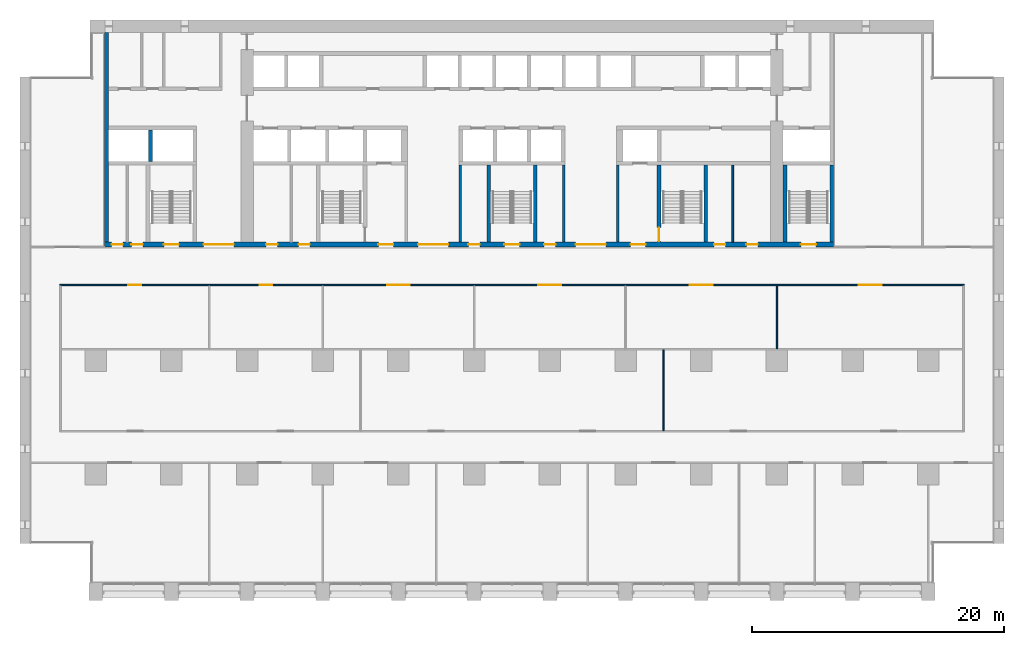
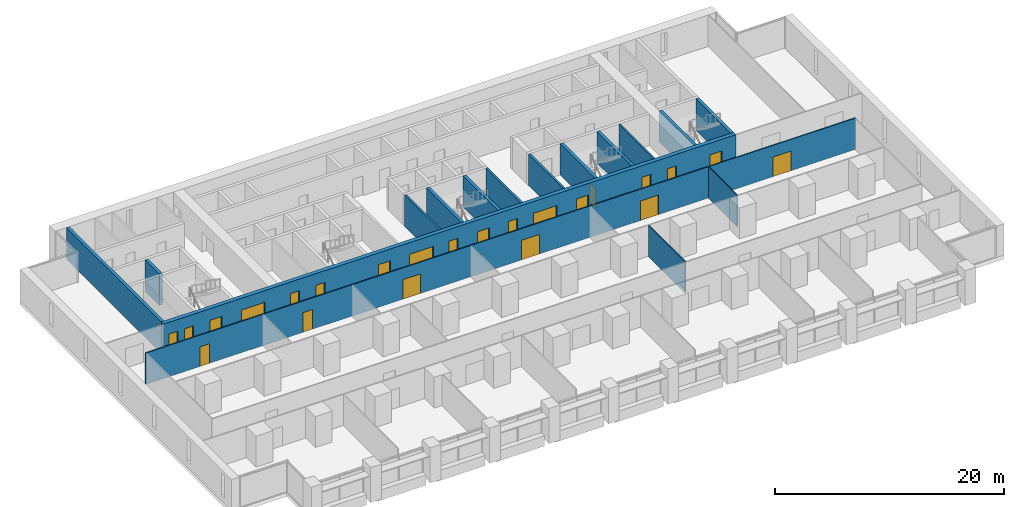
# One storey, part 10 of 18: 23 doors, 16 walls, 23 openings.
"""IFC4 building model written with IfcOpenShell, lengths in metres."""

from ifc_helpers import new_model, si_unit, direction, frame, frame_2d, origin, place, context, subcontext, project, spatial, rectangle, extrude, material, layer, layer_set, type_object, element, fill, save


model = new_model("IFC4")

# Units and contexts
model_context = context("Model", 3, precision=1e-05, world=origin(), true_north=direction((0.0, 1.0)))
body_context = subcontext(model_context, "Body", "Model", "MODEL_VIEW")
ifc_project = project(units=[si_unit("LENGTHUNIT", "METRE"), si_unit("AREAUNIT", "SQUARE_METRE"), si_unit("VOLUMEUNIT", "CUBIC_METRE"), si_unit("PLANEANGLEUNIT", "RADIAN"), si_unit("MASSUNIT", "GRAM", prefix="KILO")], contexts=[model_context])

# Site, building, storey
site_placement = place(None, origin())
site = spatial("IfcSite", under=ifc_project, at=site_placement, CompositionType="ELEMENT")
building_placement = place(site_placement, origin())
building = spatial("IfcBuilding", under=site, at=building_placement, Name="Calvaro Tower", CompositionType="ELEMENT")
storey_placement = place(building_placement, frame((0.0, 0.0, 45.0)))
storey = spatial("IfcBuildingStorey", under=building, at=storey_placement, Name="L10", CompositionType="ELEMENT", Elevation=45.0)

# Walls
ifc_material_1 = material(Name="Blockwork partition", Category="masonry")
ifc_layer_1 = layer(ifc_material_1, 0.14990234375)
ifc_layer_set_1 = layer_set([ifc_layer_1], Name="Blockwork partition")
wall_type_1 = type_object("IfcWallType", Name="Core partition 150 EI 60", PredefinedType="PARTITIONING", material=ifc_layer_set_1)
wall_1_placement = place(storey_placement, frame((56.5, 28.39990234375, 0.0), z_axis=(0.0, 0.0, 1.0), x_axis=(0.0, 1.0, 0.0)))
element("IfcWall", 1, at=wall_1_placement, inside=storey, type_object=wall_type_1, Name="Core partition", PredefinedType="PARTITIONING", context=body_context, shape_type="SweptSolid", body=[
    extrude(rectangle(XDim=6.10009765625, YDim=0.14990234375, at=frame_2d((3.050048828125, 0.0))), origin(), (0.0, 0.0, 1.0), 3.35009765625),
])
ifc_material_2 = material(Name="Blockwork partition", Category="masonry")
ifc_layer_2 = layer(ifc_material_2, 0.199951171875)
ifc_layer_set_2 = layer_set([ifc_layer_2], Name="Blockwork partition")
wall_type_2 = type_object("IfcWallType", Name="Core partition 200 REI 120", PredefinedType="PARTITIONING", material=ifc_layer_set_2)
for number, where, z_axis, x_axis, name in (
    (2, (34.89990234375, 28.39990234375, 0.0), (0.0, 0.0, 1.0), (0.0, 1.0, 0.0), "Core partition"),
    (3, (43.10009765625, 28.39990234375, 0.0), (0.0, 0.0, 1.0), (0.0, 1.0, 0.0), "Core partition"),
    (4, (47.39990234375, 28.39990234375, 0.0), (0.0, 0.0, 1.0), (0.0, 1.0, 0.0), "Core partition"),
):
    element("IfcWall", number, at=place(storey_placement, frame(where, z_axis=z_axis, x_axis=x_axis)), inside=storey, type_object=wall_type_2, Name=name, PredefinedType="PARTITIONING", context=body_context, shape_type="SweptSolid", body=[
        extrude(rectangle(XDim=6.10009765625, YDim=0.199951171875, at=frame_2d((3.050048828125, 0.0))), origin(), (0.0, 0.0, 1.0), 3.35009765625),
    ])
ifc_material_3 = material(Name="Concrete C80/95", Category="concrete")
ifc_layer_3 = layer(ifc_material_3, 0.300048828125)
ifc_layer_set_3 = layer_set([ifc_layer_3], Name="Concrete C80/95")
wall_type_3 = type_object("IfcWallType", Name="Core wall C80/95 300", PredefinedType="SHEAR", material=ifc_layer_set_3)
wall_2_placement = place(storey_placement, frame((6.85009765625, 28.39990234375, 0.0), z_axis=(0.0, 0.0, 1.0), x_axis=(0.0, 1.0, 0.0)))
element("IfcWall", 5, at=wall_2_placement, inside=storey, type_object=wall_type_3, Name="Core wall, boundary", PredefinedType="SHEAR", context=body_context, shape_type="SweptSolid", body=[
    extrude(rectangle(XDim=16.60009765625, YDim=0.300048828125, at=frame_2d((8.300048828125, 0.0))), origin(), (0.0, 0.0, 1.0), 3.35009765625),
])
for number, where, z_axis, x_axis, name in (
    (6, (37.14990234375, 28.39990234375, 0.0), (0.0, 0.0, 1.0), (0.0, 1.0, 0.0), "Core wall, stair enclosure"),
    (7, (40.85009765625, 28.39990234375, 0.0), (0.0, 0.0, 1.0), (0.0, 1.0, 0.0), "Core wall, stair enclosure"),
):
    element("IfcWall", number, at=place(storey_placement, frame(where, z_axis=z_axis, x_axis=x_axis)), inside=storey, type_object=wall_type_3, Name=name, PredefinedType="SHEAR", context=body_context, shape_type="SweptSolid", body=[
        extrude(rectangle(XDim=6.10009765625, YDim=0.300048828125, at=frame_2d((3.050048828125, 0.0))), origin(), (0.0, 0.0, 1.0), 3.35009765625),
    ])

# Wall, opening, door
wall_3_placement = place(storey_placement, frame((50.64990234375, 34.5, 0.0), z_axis=(0.0, 0.0, 1.0), x_axis=(0.0, -1.0, 0.0)))
wall_3 = element("IfcWall", 8, at=wall_3_placement, inside=storey, type_object=wall_type_3, Name="Core wall, stair enclosure", PredefinedType="SHEAR", context=body_context, shape_type="SweptSolid", body=[
    extrude(rectangle(XDim=6.10009765625, YDim=0.300048828125, at=frame_2d((3.050048828125, 0.0))), origin(), (0.0, 0.0, 1.0), 3.35009765625),
])
opening_1_placement = place(wall_3_placement, frame((4.949951171875, 0.0, 0.0)))
opening_1 = element("IfcOpeningElement", 9, at=opening_1_placement, cuts=wall_3, Name="Opening FD11D", PredefinedType="OPENING", context=body_context, shape_type="SweptSolid", body=[
    extrude(rectangle(XDim=1.10009765625, YDim=2.10009765625, at=frame_2d((0.550048828125, 1.050048828125))), frame((0.0, 0.159912109375, 0.0), z_axis=(0.0, -1.0, 0.0), x_axis=(1.0, 0.0, 0.0)), (0.0, 0.0, 1.0), 0.320068359375),
])
ifc_material_4 = material(Name="Steel door set", Category="steel")
door_type_1 = type_object("IfcDoorType", Name="Fire door 1100 FD30S", OperationType="SINGLE_SWING_LEFT", PredefinedType="DOOR", material=ifc_material_4)
door_1_placement = place(opening_1_placement, origin())
door_1 = element("IfcDoor", 10, at=door_1_placement, inside=storey, type_object=door_type_1, Name="Fire door", OperationType="SINGLE_SWING_RIGHT", OverallHeight=2.10009765625, OverallWidth=1.10009765625, PredefinedType="DOOR", context=body_context, shape_type="SweptSolid", body=[
    extrude(rectangle(XDim=1.10009765625, YDim=2.10009765625, at=frame_2d((0.550048828125, 1.050048828125))), frame((0.0, 0.02490234375, 0.0), z_axis=(0.0, -1.0, 0.0), x_axis=(1.0, 0.0, 0.0)), (0.0, 0.0, 1.0), 0.050048828125),
])
fill(opening_1, door_1)

# Walls
for number, where, z_axis, x_axis, name in (
    (11, (54.35009765625, 28.39990234375, 0.0), (0.0, 0.0, 1.0), (0.0, 1.0, 0.0), "Core wall, stair enclosure"),
    (12, (60.64990234375, 28.39990234375, 0.0), (0.0, 0.0, 1.0), (0.0, 1.0, 0.0), "Core wall, stair enclosure"),
    (13, (64.35009765625, 28.39990234375, 0.0), (0.0, 0.0, 1.0), (0.0, 1.0, 0.0), "Core wall, stair enclosure"),
):
    element("IfcWall", number, at=place(storey_placement, frame(where, z_axis=z_axis, x_axis=x_axis)), inside=storey, type_object=wall_type_3, Name=name, PredefinedType="SHEAR", context=body_context, shape_type="SweptSolid", body=[
        extrude(rectangle(XDim=6.10009765625, YDim=0.300048828125, at=frame_2d((3.050048828125, 0.0))), origin(), (0.0, 0.0, 1.0), 3.35009765625),
    ])
wall_4_placement = place(storey_placement, frame((10.35009765625, 34.800048828125, 0.0), z_axis=(0.0, 0.0, 1.0), x_axis=(0.0, 1.0, 0.0)))
element("IfcWall", 14, at=wall_4_placement, inside=storey, type_object=wall_type_3, Name="Core wall, lift shaft", PredefinedType="SHEAR", context=body_context, shape_type="SweptSolid", body=[
    extrude(rectangle(XDim=2.5, YDim=0.300048828125, at=frame_2d((1.25, 0.0))), origin(), (0.0, 0.0, 1.0), 3.35009765625),
])

# Wall, openings, doors
ifc_material_5 = material(Name="Concrete C80/95", Category="concrete")
ifc_layer_4 = layer(ifc_material_5, 0.39990234375)
ifc_layer_set_4 = layer_set([ifc_layer_4], Name="Concrete C80/95")
wall_type_4 = type_object("IfcWallType", Name="Core wall C80/95 400", PredefinedType="SHEAR", material=ifc_layer_set_4)
wall_5_placement = place(storey_placement, frame((6.699951171875, 28.199951171875, 0.0), z_axis=(0.0, 0.0, 1.0), x_axis=(1.0, 0.0, 0.0)))
wall_5 = element("IfcWall", 15, at=wall_5_placement, inside=storey, type_object=wall_type_4, Name="Core wall, front", PredefinedType="SHEAR", context=body_context, shape_type="SweptSolid", body=[
    extrude(rectangle(XDim=57.800048828125, YDim=0.39990234375, at=frame_2d((28.89990234375, 0.0))), origin(), (0.0, 0.0, 1.0), 3.35009765625),
])
opening_2_placement = place(wall_5_placement, frame((12.8125, 0.0, 0.0)))
opening_2 = element("IfcOpeningElement", 16, at=opening_2_placement, cuts=wall_5, Name="Opening RD9E", PredefinedType="OPENING", context=body_context, shape_type="SweptSolid", body=[
    extrude(rectangle(XDim=0.89990234375, YDim=2.10009765625, at=frame_2d((0.449951171875, 1.050048828125))), frame((0.0, 0.2099609375, 0.0), z_axis=(0.0, -1.0, 0.0), x_axis=(1.0, 0.0, 0.0)), (0.0, 0.0, 1.0), 0.419921875),
])
opening_3_placement = place(wall_5_placement, frame((15.387451171875, 0.0, 0.0)))
opening_3 = element("IfcOpeningElement", 17, at=opening_3_placement, cuts=wall_5, Name="Opening RD9E", PredefinedType="OPENING", context=body_context, shape_type="SweptSolid", body=[
    extrude(rectangle(XDim=0.89990234375, YDim=2.10009765625, at=frame_2d((0.449951171875, 1.050048828125))), frame((0.0, 0.2099609375, 0.0), z_axis=(0.0, -1.0, 0.0), x_axis=(1.0, 0.0, 0.0)), (0.0, 0.0, 1.0), 0.419921875),
])
opening_4_placement = place(wall_5_placement, frame((48.3125, 0.0, 0.0)))
opening_4 = element("IfcOpeningElement", 18, at=opening_4_placement, cuts=wall_5, Name="Opening RD9E", PredefinedType="OPENING", context=body_context, shape_type="SweptSolid", body=[
    extrude(rectangle(XDim=0.89990234375, YDim=2.10009765625, at=frame_2d((0.449951171875, 1.050048828125))), frame((0.0, 0.2099609375, 0.0), z_axis=(0.0, -1.0, 0.0), x_axis=(1.0, 0.0, 0.0)), (0.0, 0.0, 1.0), 0.419921875),
])
opening_5_placement = place(wall_5_placement, frame((50.887451171875, 0.0, 0.0)))
opening_5 = element("IfcOpeningElement", 19, at=opening_5_placement, cuts=wall_5, Name="Opening RD9E", PredefinedType="OPENING", context=body_context, shape_type="SweptSolid", body=[
    extrude(rectangle(XDim=0.89990234375, YDim=2.10009765625, at=frame_2d((0.449951171875, 1.050048828125))), frame((0.0, 0.2099609375, 0.0), z_axis=(0.0, -1.0, 0.0), x_axis=(1.0, 0.0, 0.0)), (0.0, 0.0, 1.0), 0.419921875),
])
opening_6_placement = place(wall_5_placement, frame((0.5625, 0.0, 0.0)))
opening_6 = element("IfcOpeningElement", 20, at=opening_6_placement, cuts=wall_5, Name="Opening RD9E", PredefinedType="OPENING", context=body_context, shape_type="SweptSolid", body=[
    extrude(rectangle(XDim=0.89990234375, YDim=2.10009765625, at=frame_2d((0.449951171875, 1.050048828125))), frame((0.0, 0.2099609375, 0.0), z_axis=(0.0, -1.0, 0.0), x_axis=(1.0, 0.0, 0.0)), (0.0, 0.0, 1.0), 0.419921875),
])
opening_7_placement = place(wall_5_placement, frame((2.137451171875, 0.0, 0.0)))
opening_7 = element("IfcOpeningElement", 21, at=opening_7_placement, cuts=wall_5, Name="Opening RD9C", PredefinedType="OPENING", context=body_context, shape_type="SweptSolid", body=[
    extrude(rectangle(XDim=0.89990234375, YDim=2.10009765625, at=frame_2d((0.449951171875, 1.050048828125))), frame((0.0, 0.2099609375, 0.0), z_axis=(0.0, -1.0, 0.0), x_axis=(1.0, 0.0, 0.0)), (0.0, 0.0, 1.0), 0.419921875),
])
opening_8_placement = place(wall_5_placement, frame((4.699951171875, 0.0, 0.0)))
opening_8 = element("IfcOpeningElement", 22, at=opening_8_placement, cuts=wall_5, Name="Opening SD12D", PredefinedType="OPENING", context=body_context, shape_type="SweptSolid", body=[
    extrude(rectangle(XDim=1.199951171875, YDim=2.10009765625, at=frame_2d((0.60009765625, 1.050048828125))), frame((0.0, 0.2099609375, 0.0), z_axis=(0.0, -1.0, 0.0), x_axis=(1.0, 0.0, 0.0)), (0.0, 0.0, 1.0), 0.419921875),
])
opening_9_placement = place(wall_5_placement, frame((31.699951171875, 0.0, 0.0)))
opening_9 = element("IfcOpeningElement", 23, at=opening_9_placement, cuts=wall_5, Name="Opening SD12D", PredefinedType="OPENING", context=body_context, shape_type="SweptSolid", body=[
    extrude(rectangle(XDim=1.199951171875, YDim=2.10009765625, at=frame_2d((0.60009765625, 1.050048828125))), frame((0.0, 0.2099609375, 0.0), z_axis=(0.0, -1.0, 0.0), x_axis=(1.0, 0.0, 0.0)), (0.0, 0.0, 1.0), 0.419921875),
])
opening_10_placement = place(wall_5_placement, frame((55.199951171875, 0.0, 0.0)))
opening_10 = element("IfcOpeningElement", 24, at=opening_10_placement, cuts=wall_5, Name="Opening SD12D", PredefinedType="OPENING", context=body_context, shape_type="SweptSolid", body=[
    extrude(rectangle(XDim=1.199951171875, YDim=2.10009765625, at=frame_2d((0.60009765625, 1.050048828125))), frame((0.0, 0.2099609375, 0.0), z_axis=(0.0, -1.0, 0.0), x_axis=(1.0, 0.0, 0.0)), (0.0, 0.0, 1.0), 0.419921875),
])
opening_11_placement = place(wall_5_placement, frame((21.699951171875, 0.0, 0.0)))
opening_11 = element("IfcOpeningElement", 25, at=opening_11_placement, cuts=wall_5, Name="Opening FD12F", PredefinedType="OPENING", context=body_context, shape_type="SweptSolid", body=[
    extrude(rectangle(XDim=1.199951171875, YDim=2.10009765625, at=frame_2d((0.60009765625, 1.050048828125))), frame((0.0, 0.2099609375, 0.0), z_axis=(0.0, -1.0, 0.0), x_axis=(1.0, 0.0, 0.0)), (0.0, 0.0, 1.0), 0.419921875),
])
opening_12_placement = place(wall_5_placement, frame((41.699951171875, 0.0, 0.0)))
opening_12 = element("IfcOpeningElement", 26, at=opening_12_placement, cuts=wall_5, Name="Opening FD12F", PredefinedType="OPENING", context=body_context, shape_type="SweptSolid", body=[
    extrude(rectangle(XDim=1.199951171875, YDim=2.10009765625, at=frame_2d((0.60009765625, 1.050048828125))), frame((0.0, 0.2099609375, 0.0), z_axis=(0.0, -1.0, 0.0), x_axis=(1.0, 0.0, 0.0)), (0.0, 0.0, 1.0), 0.419921875),
])
opening_13_placement = place(wall_5_placement, frame((24.85009765625, 0.0, 0.0)))
opening_13 = element("IfcOpeningElement", 27, at=opening_13_placement, cuts=wall_5, Name="Opening DD24D", PredefinedType="OPENING", context=body_context, shape_type="SweptSolid", body=[
    extrude(rectangle(XDim=2.39990234375, YDim=2.10009765625, at=frame_2d((1.199951171875, 1.050048828125))), frame((0.0, 0.2099609375, 0.0), z_axis=(0.0, -1.0, 0.0), x_axis=(1.0, 0.0, 0.0)), (0.0, 0.0, 1.0), 0.419921875),
])
opening_14_placement = place(wall_5_placement, frame((37.35009765625, 0.0, 0.0)))
opening_14 = element("IfcOpeningElement", 28, at=opening_14_placement, cuts=wall_5, Name="Opening DD24D", PredefinedType="OPENING", context=body_context, shape_type="SweptSolid", body=[
    extrude(rectangle(XDim=2.39990234375, YDim=2.10009765625, at=frame_2d((1.199951171875, 1.050048828125))), frame((0.0, 0.2099609375, 0.0), z_axis=(0.0, -1.0, 0.0), x_axis=(1.0, 0.0, 0.0)), (0.0, 0.0, 1.0), 0.419921875),
])
opening_15_placement = place(wall_5_placement, frame((7.85009765625, 0.0, 0.0)))
opening_15 = element("IfcOpeningElement", 29, at=opening_15_placement, cuts=wall_5, Name="Opening DD24D", PredefinedType="OPENING", context=body_context, shape_type="SweptSolid", body=[
    extrude(rectangle(XDim=2.39990234375, YDim=2.10009765625, at=frame_2d((1.199951171875, 1.050048828125))), frame((0.0, 0.2099609375, 0.0), z_axis=(0.0, -1.0, 0.0), x_axis=(1.0, 0.0, 0.0)), (0.0, 0.0, 1.0), 0.419921875),
])
opening_16_placement = place(wall_5_placement, frame((28.85009765625, 0.0, 0.0)))
opening_16 = element("IfcOpeningElement", 30, at=opening_16_placement, cuts=wall_5, Name="Opening RD9E", PredefinedType="OPENING", context=body_context, shape_type="SweptSolid", body=[
    extrude(rectangle(XDim=0.89990234375, YDim=2.10009765625, at=frame_2d((0.449951171875, 1.050048828125))), frame((0.0, 0.2099609375, 0.0), z_axis=(0.0, -1.0, 0.0), x_axis=(1.0, 0.0, 0.0)), (0.0, 0.0, 1.0), 0.419921875),
])
opening_17_placement = place(wall_5_placement, frame((34.85009765625, 0.0, 0.0)))
opening_17 = element("IfcOpeningElement", 31, at=opening_17_placement, cuts=wall_5, Name="Opening RD9E", PredefinedType="OPENING", context=body_context, shape_type="SweptSolid", body=[
    extrude(rectangle(XDim=0.89990234375, YDim=2.10009765625, at=frame_2d((0.449951171875, 1.050048828125))), frame((0.0, 0.2099609375, 0.0), z_axis=(0.0, -1.0, 0.0), x_axis=(1.0, 0.0, 0.0)), (0.0, 0.0, 1.0), 0.419921875),
])
ifc_material_6 = material(Name="Steel door set", Category="steel")
door_type_2 = type_object("IfcDoorType", Name="Fire door 1200 FD60S", OperationType="SINGLE_SWING_LEFT", PredefinedType="DOOR", material=ifc_material_6)
door_2_placement = place(opening_11_placement, origin())
door_2 = element("IfcDoor", 32, at=door_2_placement, inside=storey, type_object=door_type_2, Name="Fire door", OperationType="SINGLE_SWING_LEFT", OverallHeight=2.10009765625, OverallWidth=1.199951171875, PredefinedType="DOOR", context=body_context, shape_type="SweptSolid", body=[
    extrude(rectangle(XDim=1.199951171875, YDim=2.10009765625, at=frame_2d((0.60009765625, 1.050048828125))), frame((0.0, 0.02490234375, 0.0), z_axis=(0.0, -1.0, 0.0), x_axis=(1.0, 0.0, 0.0)), (0.0, 0.0, 1.0), 0.050048828125),
])
fill(opening_11, door_2)
door_3_placement = place(opening_12_placement, origin())
door_3 = element("IfcDoor", 33, at=door_3_placement, inside=storey, type_object=door_type_2, Name="Fire door", OperationType="SINGLE_SWING_LEFT", OverallHeight=2.10009765625, OverallWidth=1.199951171875, PredefinedType="DOOR", context=body_context, shape_type="SweptSolid", body=[
    extrude(rectangle(XDim=1.199951171875, YDim=2.10009765625, at=frame_2d((0.60009765625, 1.050048828125))), frame((0.0, 0.02490234375, 0.0), z_axis=(0.0, -1.0, 0.0), x_axis=(1.0, 0.0, 0.0)), (0.0, 0.0, 1.0), 0.050048828125),
])
fill(opening_12, door_3)
ifc_material_7 = material(Name="Steel door set", Category="steel")
door_type_3 = type_object("IfcDoorType", Name="Lobby double door 2400 FD30S", OperationType="DOUBLE_DOOR_SINGLE_SWING", PredefinedType="DOOR", material=ifc_material_7)
door_4_placement = place(opening_13_placement, origin())
door_4 = element("IfcDoor", 34, at=door_4_placement, inside=storey, type_object=door_type_3, Name="Lobby double door", OperationType="DOUBLE_DOOR_SINGLE_SWING", OverallHeight=2.10009765625, OverallWidth=2.39990234375, PredefinedType="DOOR", context=body_context, shape_type="SweptSolid", body=[
    extrude(rectangle(XDim=2.39990234375, YDim=2.10009765625, at=frame_2d((1.199951171875, 1.050048828125))), frame((0.0, 0.02490234375, 0.0), z_axis=(0.0, -1.0, 0.0), x_axis=(1.0, 0.0, 0.0)), (0.0, 0.0, 1.0), 0.050048828125),
])
fill(opening_13, door_4)
door_5_placement = place(opening_14_placement, origin())
door_5 = element("IfcDoor", 35, at=door_5_placement, inside=storey, type_object=door_type_3, Name="Lobby double door", OperationType="DOUBLE_DOOR_SINGLE_SWING", OverallHeight=2.10009765625, OverallWidth=2.39990234375, PredefinedType="DOOR", context=body_context, shape_type="SweptSolid", body=[
    extrude(rectangle(XDim=2.39990234375, YDim=2.10009765625, at=frame_2d((1.199951171875, 1.050048828125))), frame((0.0, 0.02490234375, 0.0), z_axis=(0.0, -1.0, 0.0), x_axis=(1.0, 0.0, 0.0)), (0.0, 0.0, 1.0), 0.050048828125),
])
fill(opening_14, door_5)
door_6_placement = place(opening_15_placement, origin())
door_6 = element("IfcDoor", 36, at=door_6_placement, inside=storey, type_object=door_type_3, Name="Lobby double door", OperationType="DOUBLE_DOOR_SINGLE_SWING", OverallHeight=2.10009765625, OverallWidth=2.39990234375, PredefinedType="DOOR", context=body_context, shape_type="SweptSolid", body=[
    extrude(rectangle(XDim=2.39990234375, YDim=2.10009765625, at=frame_2d((1.199951171875, 1.050048828125))), frame((0.0, 0.02490234375, 0.0), z_axis=(0.0, -1.0, 0.0), x_axis=(1.0, 0.0, 0.0)), (0.0, 0.0, 1.0), 0.050048828125),
])
fill(opening_15, door_6)
ifc_material_8 = material(Name="Steel door set", Category="steel")
door_type_4 = type_object("IfcDoorType", Name="Room door 900 FD30", OperationType="SINGLE_SWING_LEFT", PredefinedType="DOOR", material=ifc_material_8)
door_7_placement = place(opening_7_placement, origin())
door_7 = element("IfcDoor", 37, at=door_7_placement, inside=storey, type_object=door_type_4, Name="Room door", OperationType="SINGLE_SWING_LEFT", OverallHeight=2.10009765625, OverallWidth=0.89990234375, PredefinedType="DOOR", context=body_context, shape_type="SweptSolid", body=[
    extrude(rectangle(XDim=0.89990234375, YDim=2.10009765625, at=frame_2d((0.449951171875, 1.050048828125))), frame((0.0, 0.02490234375, 0.0), z_axis=(0.0, -1.0, 0.0), x_axis=(1.0, 0.0, 0.0)), (0.0, 0.0, 1.0), 0.050048828125),
])
fill(opening_7, door_7)
ifc_material_9 = material(Name="Steel door set", Category="steel")
door_type_5 = type_object("IfcDoorType", Name="Room door 900 FD60", OperationType="SINGLE_SWING_LEFT", PredefinedType="DOOR", material=ifc_material_9)
door_8_placement = place(opening_2_placement, origin())
door_8 = element("IfcDoor", 38, at=door_8_placement, inside=storey, type_object=door_type_5, Name="Room door", OperationType="SINGLE_SWING_LEFT", OverallHeight=2.10009765625, OverallWidth=0.89990234375, PredefinedType="DOOR", context=body_context, shape_type="SweptSolid", body=[
    extrude(rectangle(XDim=0.89990234375, YDim=2.10009765625, at=frame_2d((0.449951171875, 1.050048828125))), frame((0.0, 0.02490234375, 0.0), z_axis=(0.0, -1.0, 0.0), x_axis=(1.0, 0.0, 0.0)), (0.0, 0.0, 1.0), 0.050048828125),
])
fill(opening_2, door_8)
door_9_placement = place(opening_3_placement, origin())
door_9 = element("IfcDoor", 39, at=door_9_placement, inside=storey, type_object=door_type_5, Name="Room door", OperationType="SINGLE_SWING_RIGHT", OverallHeight=2.10009765625, OverallWidth=0.89990234375, PredefinedType="DOOR", context=body_context, shape_type="SweptSolid", body=[
    extrude(rectangle(XDim=0.89990234375, YDim=2.10009765625, at=frame_2d((0.449951171875, 1.050048828125))), frame((0.0, 0.02490234375, 0.0), z_axis=(0.0, -1.0, 0.0), x_axis=(1.0, 0.0, 0.0)), (0.0, 0.0, 1.0), 0.050048828125),
])
fill(opening_3, door_9)
door_10_placement = place(opening_4_placement, origin())
door_10 = element("IfcDoor", 40, at=door_10_placement, inside=storey, type_object=door_type_5, Name="Room door", OperationType="SINGLE_SWING_LEFT", OverallHeight=2.10009765625, OverallWidth=0.89990234375, PredefinedType="DOOR", context=body_context, shape_type="SweptSolid", body=[
    extrude(rectangle(XDim=0.89990234375, YDim=2.10009765625, at=frame_2d((0.449951171875, 1.050048828125))), frame((0.0, 0.02490234375, 0.0), z_axis=(0.0, -1.0, 0.0), x_axis=(1.0, 0.0, 0.0)), (0.0, 0.0, 1.0), 0.050048828125),
])
fill(opening_4, door_10)
door_11_placement = place(opening_5_placement, origin())
door_11 = element("IfcDoor", 41, at=door_11_placement, inside=storey, type_object=door_type_5, Name="Room door", OperationType="SINGLE_SWING_LEFT", OverallHeight=2.10009765625, OverallWidth=0.89990234375, PredefinedType="DOOR", context=body_context, shape_type="SweptSolid", body=[
    extrude(rectangle(XDim=0.89990234375, YDim=2.10009765625, at=frame_2d((0.449951171875, 1.050048828125))), frame((0.0, 0.02490234375, 0.0), z_axis=(0.0, -1.0, 0.0), x_axis=(1.0, 0.0, 0.0)), (0.0, 0.0, 1.0), 0.050048828125),
])
fill(opening_5, door_11)
door_12_placement = place(opening_6_placement, origin())
door_12 = element("IfcDoor", 42, at=door_12_placement, inside=storey, type_object=door_type_5, Name="Room door", OperationType="SINGLE_SWING_LEFT", OverallHeight=2.10009765625, OverallWidth=0.89990234375, PredefinedType="DOOR", context=body_context, shape_type="SweptSolid", body=[
    extrude(rectangle(XDim=0.89990234375, YDim=2.10009765625, at=frame_2d((0.449951171875, 1.050048828125))), frame((0.0, 0.02490234375, 0.0), z_axis=(0.0, -1.0, 0.0), x_axis=(1.0, 0.0, 0.0)), (0.0, 0.0, 1.0), 0.050048828125),
])
fill(opening_6, door_12)
door_13_placement = place(opening_16_placement, origin())
door_13 = element("IfcDoor", 43, at=door_13_placement, inside=storey, type_object=door_type_5, Name="Room door", OperationType="SINGLE_SWING_LEFT", OverallHeight=2.10009765625, OverallWidth=0.89990234375, PredefinedType="DOOR", context=body_context, shape_type="SweptSolid", body=[
    extrude(rectangle(XDim=0.89990234375, YDim=2.10009765625, at=frame_2d((0.449951171875, 1.050048828125))), frame((0.0, 0.02490234375, 0.0), z_axis=(0.0, -1.0, 0.0), x_axis=(1.0, 0.0, 0.0)), (0.0, 0.0, 1.0), 0.050048828125),
])
fill(opening_16, door_13)
door_14_placement = place(opening_17_placement, origin())
door_14 = element("IfcDoor", 44, at=door_14_placement, inside=storey, type_object=door_type_5, Name="Room door", OperationType="SINGLE_SWING_LEFT", OverallHeight=2.10009765625, OverallWidth=0.89990234375, PredefinedType="DOOR", context=body_context, shape_type="SweptSolid", body=[
    extrude(rectangle(XDim=0.89990234375, YDim=2.10009765625, at=frame_2d((0.449951171875, 1.050048828125))), frame((0.0, 0.02490234375, 0.0), z_axis=(0.0, -1.0, 0.0), x_axis=(1.0, 0.0, 0.0)), (0.0, 0.0, 1.0), 0.050048828125),
])
fill(opening_17, door_14)
ifc_material_10 = material(Name="Steel door set", Category="steel")
door_type_6 = type_object("IfcDoorType", Name="Stair door 1200 FD30S", OperationType="SINGLE_SWING_LEFT", PredefinedType="DOOR", material=ifc_material_10)
door_15_placement = place(opening_8_placement, origin())
door_15 = element("IfcDoor", 45, at=door_15_placement, inside=storey, type_object=door_type_6, Name="Stair door", OperationType="SINGLE_SWING_LEFT", OverallHeight=2.10009765625, OverallWidth=1.199951171875, PredefinedType="DOOR", context=body_context, shape_type="SweptSolid", body=[
    extrude(rectangle(XDim=1.199951171875, YDim=2.10009765625, at=frame_2d((0.60009765625, 1.050048828125))), frame((0.0, 0.02490234375, 0.0), z_axis=(0.0, -1.0, 0.0), x_axis=(1.0, 0.0, 0.0)), (0.0, 0.0, 1.0), 0.050048828125),
])
fill(opening_8, door_15)
door_16_placement = place(opening_9_placement, origin())
door_16 = element("IfcDoor", 46, at=door_16_placement, inside=storey, type_object=door_type_6, Name="Stair door", OperationType="SINGLE_SWING_LEFT", OverallHeight=2.10009765625, OverallWidth=1.199951171875, PredefinedType="DOOR", context=body_context, shape_type="SweptSolid", body=[
    extrude(rectangle(XDim=1.199951171875, YDim=2.10009765625, at=frame_2d((0.60009765625, 1.050048828125))), frame((0.0, 0.02490234375, 0.0), z_axis=(0.0, -1.0, 0.0), x_axis=(1.0, 0.0, 0.0)), (0.0, 0.0, 1.0), 0.050048828125),
])
fill(opening_9, door_16)
door_17_placement = place(opening_10_placement, origin())
door_17 = element("IfcDoor", 47, at=door_17_placement, inside=storey, type_object=door_type_6, Name="Stair door", OperationType="SINGLE_SWING_LEFT", OverallHeight=2.10009765625, OverallWidth=1.199951171875, PredefinedType="DOOR", context=body_context, shape_type="SweptSolid", body=[
    extrude(rectangle(XDim=1.199951171875, YDim=2.10009765625, at=frame_2d((0.60009765625, 1.050048828125))), frame((0.0, 0.02490234375, 0.0), z_axis=(0.0, -1.0, 0.0), x_axis=(1.0, 0.0, 0.0)), (0.0, 0.0, 1.0), 0.050048828125),
])
fill(opening_10, door_17)

# Walls
ifc_material_11 = material(Name="Plasterboard on steel studs", Category="steel")
ifc_layer_5 = layer(ifc_material_11, 0.10009765625)
ifc_layer_set_5 = layer_set([ifc_layer_5], Name="Plasterboard on steel studs")
wall_type_5 = type_object("IfcWallType", Name="Partition 100", PredefinedType="PARTITIONING", material=ifc_layer_set_5)
wall_6_placement = place(storey_placement, frame((51.0, 13.449951171875, 0.0), z_axis=(0.0, 0.0, 1.0), x_axis=(0.0, 1.0, 0.0)))
element("IfcWall", 48, at=wall_6_placement, inside=storey, type_object=wall_type_5, Name="Partition T10.W017", PredefinedType="PARTITIONING", context=body_context, shape_type="SweptSolid", body=[
    extrude(rectangle(XDim=6.400146484375, YDim=0.10009765625, at=frame_2d((3.2001953125, 0.0))), origin(), (0.0, 0.0, 1.0), 3.35009765625),
])
wall_7_placement = place(storey_placement, frame((60.0, 19.949951171875, 0.0), z_axis=(0.0, 0.0, 1.0), x_axis=(0.0, 1.0, 0.0)))
element("IfcWall", 49, at=wall_7_placement, inside=storey, type_object=wall_type_5, Name="Partition T10.W019", PredefinedType="PARTITIONING", context=body_context, shape_type="SweptSolid", body=[
    extrude(rectangle(XDim=5.0, YDim=0.10009765625, at=frame_2d((2.5, 0.0))), origin(), (0.0, 0.0, 1.0), 3.35009765625),
])

# Wall, openings, doors
ifc_material_12 = material(Name="Plasterboard on steel studs", Category="steel")
ifc_layer_6 = layer(ifc_material_12, 0.10009765625)
ifc_layer_set_6 = layer_set([ifc_layer_6], Name="Plasterboard on steel studs")
wall_type_6 = type_object("IfcWallType", Name="Partition 100 REI 120", PredefinedType="PARTITIONING", material=ifc_layer_set_6)
wall_8_placement = place(storey_placement, frame((3.14990234375, 25.0, 0.0), z_axis=(0.0, 0.0, 1.0), x_axis=(1.0, 0.0, 0.0)))
wall_8 = element("IfcWall", 50, at=wall_8_placement, inside=storey, type_object=wall_type_6, Name="Partition T10.W004", PredefinedType="PARTITIONING", context=body_context, shape_type="SweptSolid", body=[
    extrude(rectangle(XDim=71.7001953125, YDim=0.10009765625, at=frame_2d((35.85009765625, 0.0))), origin(), (0.0, 0.0, 1.0), 3.35009765625),
])
opening_18_placement = place(wall_8_placement, frame((5.449951171875, 0.0, 0.0)))
opening_18 = element("IfcOpeningElement", 51, at=opening_18_placement, cuts=wall_8, Name="Opening T10.015", PredefinedType="OPENING", context=body_context, shape_type="SweptSolid", body=[
    extrude(rectangle(XDim=1.0, YDim=2.10009765625, at=frame_2d((0.5, 1.050048828125))), frame((0.0, 0.06005859375, 0.0), z_axis=(0.0, -1.0, 0.0), x_axis=(1.0, 0.0, 0.0)), (0.0, 0.0, 1.0), 0.1201171875),
])
opening_19_placement = place(wall_8_placement, frame((15.85009765625, 0.0, 0.0)))
opening_19 = element("IfcOpeningElement", 52, at=opening_19_placement, cuts=wall_8, Name="Opening T10.016", PredefinedType="OPENING", context=body_context, shape_type="SweptSolid", body=[
    extrude(rectangle(XDim=1.0, YDim=2.10009765625, at=frame_2d((0.5, 1.050048828125))), frame((0.0, 0.06005859375, 0.0), z_axis=(0.0, -1.0, 0.0), x_axis=(1.0, 0.0, 0.0)), (0.0, 0.0, 1.0), 0.1201171875),
])
opening_20_placement = place(wall_8_placement, frame((63.35009765625, 0.0, 0.0)))
opening_20 = element("IfcOpeningElement", 53, at=opening_20_placement, cuts=wall_8, Name="Opening T10.017", PredefinedType="OPENING", context=body_context, shape_type="SweptSolid", body=[
    extrude(rectangle(XDim=1.800048828125, YDim=2.10009765625, at=frame_2d((0.89990234375, 1.050048828125))), frame((0.0, 0.06005859375, 0.0), z_axis=(0.0, -1.0, 0.0), x_axis=(1.0, 0.0, 0.0)), (0.0, 0.0, 1.0), 0.1201171875),
])
opening_21_placement = place(wall_8_placement, frame((25.949951171875, 0.0, 0.0)))
opening_21 = element("IfcOpeningElement", 54, at=opening_21_placement, cuts=wall_8, Name="Opening T10.018", PredefinedType="OPENING", context=body_context, shape_type="SweptSolid", body=[
    extrude(rectangle(XDim=1.800048828125, YDim=2.10009765625, at=frame_2d((0.89990234375, 1.050048828125))), frame((0.0, 0.06005859375, 0.0), z_axis=(0.0, -1.0, 0.0), x_axis=(1.0, 0.0, 0.0)), (0.0, 0.0, 1.0), 0.1201171875),
])
opening_22_placement = place(wall_8_placement, frame((37.949951171875, 0.0, 0.0)))
opening_22 = element("IfcOpeningElement", 55, at=opening_22_placement, cuts=wall_8, Name="Opening T10.019", PredefinedType="OPENING", context=body_context, shape_type="SweptSolid", body=[
    extrude(rectangle(XDim=1.800048828125, YDim=2.10009765625, at=frame_2d((0.89990234375, 1.050048828125))), frame((0.0, 0.06005859375, 0.0), z_axis=(0.0, -1.0, 0.0), x_axis=(1.0, 0.0, 0.0)), (0.0, 0.0, 1.0), 0.1201171875),
])
opening_23_placement = place(wall_8_placement, frame((49.949951171875, 0.0, 0.0)))
opening_23 = element("IfcOpeningElement", 56, at=opening_23_placement, cuts=wall_8, Name="Opening T10.020", PredefinedType="OPENING", context=body_context, shape_type="SweptSolid", body=[
    extrude(rectangle(XDim=1.800048828125, YDim=2.10009765625, at=frame_2d((0.89990234375, 1.050048828125))), frame((0.0, 0.06005859375, 0.0), z_axis=(0.0, -1.0, 0.0), x_axis=(1.0, 0.0, 0.0)), (0.0, 0.0, 1.0), 0.1201171875),
])
ifc_material_13 = material(Name="Timber", Category="wood")
door_type_7 = type_object("IfcDoorType", Name="Internal double door 1800 x 2100", OperationType="DOUBLE_DOOR_SINGLE_SWING", PredefinedType="DOOR", material=ifc_material_13)
door_18_placement = place(opening_20_placement, origin())
door_18 = element("IfcDoor", 57, at=door_18_placement, inside=storey, type_object=door_type_7, Name="Door T10.017", OperationType="DOUBLE_DOOR_SINGLE_SWING", OverallHeight=2.10009765625, OverallWidth=1.800048828125, PredefinedType="DOOR", context=body_context, shape_type="SweptSolid", body=[
    extrude(rectangle(XDim=1.800048828125, YDim=2.10009765625, at=frame_2d((0.89990234375, 1.050048828125))), frame((0.0, 0.02490234375, 0.0), z_axis=(0.0, -1.0, 0.0), x_axis=(1.0, 0.0, 0.0)), (0.0, 0.0, 1.0), 0.050048828125),
])
fill(opening_20, door_18)
door_19_placement = place(opening_21_placement, origin())
door_19 = element("IfcDoor", 58, at=door_19_placement, inside=storey, type_object=door_type_7, Name="Door T10.018", OperationType="DOUBLE_DOOR_SINGLE_SWING", OverallHeight=2.10009765625, OverallWidth=1.800048828125, PredefinedType="DOOR", context=body_context, shape_type="SweptSolid", body=[
    extrude(rectangle(XDim=1.800048828125, YDim=2.10009765625, at=frame_2d((0.89990234375, 1.050048828125))), frame((0.0, 0.02490234375, 0.0), z_axis=(0.0, -1.0, 0.0), x_axis=(1.0, 0.0, 0.0)), (0.0, 0.0, 1.0), 0.050048828125),
])
fill(opening_21, door_19)
door_20_placement = place(opening_22_placement, origin())
door_20 = element("IfcDoor", 59, at=door_20_placement, inside=storey, type_object=door_type_7, Name="Door T10.019", OperationType="DOUBLE_DOOR_SINGLE_SWING", OverallHeight=2.10009765625, OverallWidth=1.800048828125, PredefinedType="DOOR", context=body_context, shape_type="SweptSolid", body=[
    extrude(rectangle(XDim=1.800048828125, YDim=2.10009765625, at=frame_2d((0.89990234375, 1.050048828125))), frame((0.0, 0.02490234375, 0.0), z_axis=(0.0, -1.0, 0.0), x_axis=(1.0, 0.0, 0.0)), (0.0, 0.0, 1.0), 0.050048828125),
])
fill(opening_22, door_20)
door_21_placement = place(opening_23_placement, origin())
door_21 = element("IfcDoor", 60, at=door_21_placement, inside=storey, type_object=door_type_7, Name="Door T10.020", OperationType="DOUBLE_DOOR_SINGLE_SWING", OverallHeight=2.10009765625, OverallWidth=1.800048828125, PredefinedType="DOOR", context=body_context, shape_type="SweptSolid", body=[
    extrude(rectangle(XDim=1.800048828125, YDim=2.10009765625, at=frame_2d((0.89990234375, 1.050048828125))), frame((0.0, 0.02490234375, 0.0), z_axis=(0.0, -1.0, 0.0), x_axis=(1.0, 0.0, 0.0)), (0.0, 0.0, 1.0), 0.050048828125),
])
fill(opening_23, door_21)
ifc_material_14 = material(Name="Timber", Category="wood")
door_type_8 = type_object("IfcDoorType", Name="Internal single door 1000 x 2100", OperationType="SINGLE_SWING_LEFT", PredefinedType="DOOR", material=ifc_material_14)
door_22_placement = place(opening_19_placement, origin())
door_22 = element("IfcDoor", 61, at=door_22_placement, inside=storey, type_object=door_type_8, Name="Door T10.016", OperationType="SINGLE_SWING_LEFT", OverallHeight=2.10009765625, OverallWidth=1.0, PredefinedType="DOOR", context=body_context, shape_type="SweptSolid", body=[
    extrude(rectangle(XDim=1.0, YDim=2.10009765625, at=frame_2d((0.5, 1.050048828125))), frame((0.0, 0.02490234375, 0.0), z_axis=(0.0, -1.0, 0.0), x_axis=(1.0, 0.0, 0.0)), (0.0, 0.0, 1.0), 0.050048828125),
])
fill(opening_19, door_22)
ifc_material_15 = material(Name="Timber", Category="wood")
door_type_9 = type_object("IfcDoorType", Name="Internal single door 1000 x 2100 FD60", OperationType="SINGLE_SWING_LEFT", PredefinedType="DOOR", material=ifc_material_15)
door_23_placement = place(opening_18_placement, origin())
door_23 = element("IfcDoor", 62, at=door_23_placement, inside=storey, type_object=door_type_9, Name="Door T10.015", OperationType="SINGLE_SWING_LEFT", OverallHeight=2.10009765625, OverallWidth=1.0, PredefinedType="DOOR", context=body_context, shape_type="SweptSolid", body=[
    extrude(rectangle(XDim=1.0, YDim=2.10009765625, at=frame_2d((0.5, 1.050048828125))), frame((0.0, 0.02490234375, 0.0), z_axis=(0.0, -1.0, 0.0), x_axis=(1.0, 0.0, 0.0)), (0.0, 0.0, 1.0), 0.050048828125),
])
fill(opening_18, door_23)

save(model, "model.ifc")
